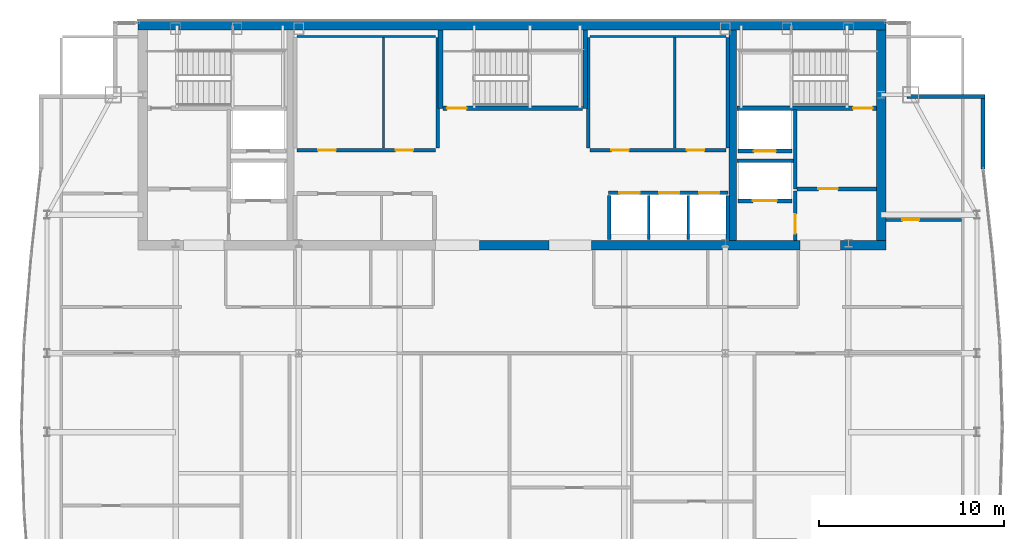
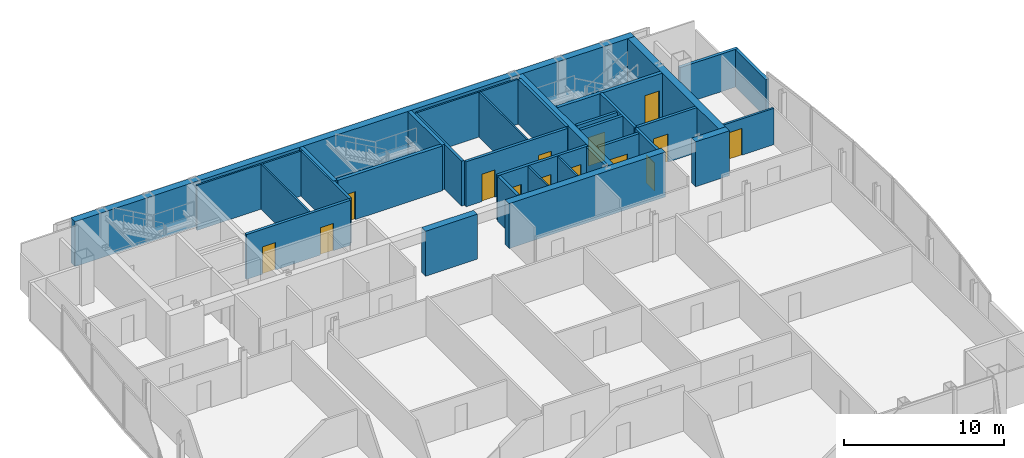
# One storey, part 22 of 25: 33 walls, 14 doors, 14 openings.
"""IFC4 building model written with IfcOpenShell, lengths in metres."""

from ifc_helpers import new_model, si_unit, direction, frame, frame_2d, origin, place, context, subcontext, project, spatial, rectangle, extrude, material, layer, layer_set, type_object, element, fill, save


model = new_model("IFC4")

# Units and contexts
model_context = context("Model", 3, precision=1e-05, world=origin(), true_north=direction((0.0, 1.0)))
body_context = subcontext(model_context, "Body", "Model", "MODEL_VIEW")
ifc_project = project(units=[si_unit("LENGTHUNIT", "METRE"), si_unit("AREAUNIT", "SQUARE_METRE"), si_unit("VOLUMEUNIT", "CUBIC_METRE"), si_unit("PLANEANGLEUNIT", "RADIAN"), si_unit("MASSUNIT", "GRAM", prefix="KILO")], contexts=[model_context])

# Site, building, storey
site_placement = place(None, origin())
site = spatial("IfcSite", under=ifc_project, at=site_placement, CompositionType="ELEMENT")
building_placement = place(site_placement, origin())
building = spatial("IfcBuilding", under=site, at=building_placement, Name="Khoronbel Lancet Exchange", CompositionType="ELEMENT")
storey_placement = place(building_placement, frame((0.0, 0.0, 295.0)))
storey = spatial("IfcBuildingStorey", under=building, at=storey_placement, Name="L76", CompositionType="ELEMENT", Elevation=295.0)

# Walls
ifc_material_1 = material(Name="Concrete C60/75", Category="concrete")
ifc_layer_1 = layer(ifc_material_1, 0.5, Name="Concrete C60/75")
ifc_layer_set_1 = layer_set([ifc_layer_1], Name="Concrete C60/75")
wall_type_1 = type_object("IfcWallType", Name="WL-CW4", PredefinedType="SHEAR", material=ifc_layer_set_1)
wall_1_placement = place(storey_placement, frame((16.199951171875, 53.449951171875, 0.0), z_axis=(0.0, 0.0, 1.0), x_axis=(1.0, 0.0, 0.0)))
element("IfcWall", 1, at=wall_1_placement, inside=storey, type_object=wall_type_1, Name="Level L76 rear core north shear wall", PredefinedType="SHEAR", context=body_context, shape_type="SweptSolid", body=[
    extrude(rectangle(XDim=40.5, YDim=0.5, at=frame_2d((20.25, 0.0))), origin(), (0.0, 0.0, 1.0), 3.43994140625),
])
wall_2_placement = place(storey_placement, frame((56.449951171875, 53.199951171875, 0.0), z_axis=(0.0, 0.0, 1.0), x_axis=(0.0, -1.0, 0.0)))
element("IfcWall", 2, at=wall_2_placement, inside=storey, type_object=wall_type_1, Name="Level L76 rear core east shear wall", PredefinedType="SHEAR", context=body_context, shape_type="SweptSolid", body=[
    extrude(rectangle(XDim=11.39990234375, YDim=0.5, at=frame_2d((5.699951171875, 0.0))), origin(), (0.0, 0.0, 1.0), 3.43994140625),
])
wall_3_placement = place(storey_placement, frame((38.449951171875, 41.550048828125, 0.0), z_axis=(0.0, 0.0, 1.0), x_axis=(-1.0, 0.0, 0.0)))
element("IfcWall", 3, at=wall_3_placement, inside=storey, type_object=wall_type_1, Name="Level L76 rear core south shear wall pier P3", PredefinedType="SHEAR", context=body_context, shape_type="SweptSolid", body=[
    extrude(rectangle(XDim=3.75, YDim=0.5, at=frame_2d((1.875, 0.0))), origin(), (0.0, 0.0, 1.0), 3.43994140625),
])
wall_4_placement = place(storey_placement, frame((52.050048828125, 41.550048828125, 0.0), z_axis=(0.0, 0.0, 1.0), x_axis=(-1.0, 0.0, 0.0)))
element("IfcWall", 4, at=wall_4_placement, inside=storey, type_object=wall_type_1, Name="Level L76 rear core south shear wall pier P4", PredefinedType="SHEAR", context=body_context, shape_type="SweptSolid", body=[
    extrude(rectangle(XDim=11.300048828125, YDim=0.5, at=frame_2d((5.64990234375, 0.0))), origin(), (0.0, 0.0, 1.0), 3.43994140625),
])
wall_5_placement = place(storey_placement, frame((56.699951171875, 41.550048828125, 0.0), z_axis=(0.0, 0.0, 1.0), x_axis=(-1.0, 0.0, 0.0)))
element("IfcWall", 5, at=wall_5_placement, inside=storey, type_object=wall_type_1, Name="Level L76 rear core south shear wall pier P5", PredefinedType="SHEAR", context=body_context, shape_type="SweptSolid", body=[
    extrude(rectangle(XDim=2.449951171875, YDim=0.5, at=frame_2d((1.22509765625, 0.0))), origin(), (0.0, 0.0, 1.0), 3.43994140625),
])
ifc_material_2 = material(Name="Precast concrete C40/50", Category="concrete")
ifc_layer_2 = layer(ifc_material_2, 0.25, Name="Precast concrete C40/50")
ifc_layer_set_2 = layer_set([ifc_layer_2], Name="Precast concrete C40/50")
wall_type_2 = type_object("IfcWallType", Name="WL-EXT250", PredefinedType="SOLIDWALL", material=ifc_layer_set_2)
wall_6_placement = place(storey_placement, frame((57.85009765625, 49.610107421875, 0.0), z_axis=(0.0, 0.0, 1.0), x_axis=(1.0, 0.0, 0.0)))
element("IfcWall", 6, at=wall_6_placement, inside=storey, type_object=wall_type_2, Name="Level L76 notched-corner limestone pier 15", PredefinedType="SOLIDWALL", context=body_context, shape_type="SweptSolid", body=[
    extrude(rectangle(XDim=4.219970703125, YDim=0.219970703125, at=frame_2d((2.10986328125, 0.0))), origin(), (0.0, 0.0, 1.0), 2.8798828125),
])
wall_7_placement = place(storey_placement, frame((61.9599609375, 49.5, 0.0), z_axis=(0.0, 0.0, 1.0), x_axis=(0.0, -1.0, 0.0)))
element("IfcWall", 7, at=wall_7_placement, inside=storey, type_object=wall_type_2, Name="Level L76 notched-corner limestone pier 16", PredefinedType="SOLIDWALL", context=body_context, shape_type="SweptSolid", body=[
    extrude(rectangle(XDim=3.824951171875, YDim=0.219970703125, at=frame_2d((1.91259765625, 0.0))), origin(), (0.0, 0.0, 1.0), 2.8798828125),
])

# Wall, opening, door
ifc_material_3 = material(Name="Acoustic Metal-Stud & Mineral-Wool Gypsum Partition 120 mm", Category="gypsum")
ifc_layer_3 = layer(ifc_material_3, 0.1201171875, Name="Acoustic Metal-Stud & Mineral-Wool Gypsum Partition 120 mm")
ifc_layer_set_3 = layer_set([ifc_layer_3], Name="Acoustic Metal-Stud & Mineral-Wool Gypsum Partition 120 mm")
wall_type_3 = type_object("IfcWallType", Name="WL-PRT120", PredefinedType="PARTITIONING", material=ifc_layer_set_3)
wall_8_placement = place(storey_placement, frame((56.699951171875, 42.919921875, 0.0), z_axis=(0.0, 0.0, 1.0), x_axis=(1.0, 0.0, 0.0)))
wall_8 = element("IfcWall", 8, at=wall_8_placement, inside=storey, type_object=wall_type_3, Name="Level L76 interior partition PW-NE-H", PredefinedType="PARTITIONING", context=body_context, shape_type="SweptSolid", body=[
    extrude(rectangle(XDim=4.10498046875, YDim=0.14990234375, at=frame_2d((2.052490234375, 0.0))), origin(), (0.0, 0.0, 1.0), 2.780029296875),
])
opening_1_placement = place(wall_8_placement, frame((0.89990234375, 0.0, 0.0)))
opening_1 = element("IfcOpeningElement", 9, at=opening_1_placement, cuts=wall_8, Name="Opening D5", PredefinedType="OPENING", context=body_context, shape_type="SweptSolid", body=[
    extrude(rectangle(XDim=0.89990234375, YDim=2.050048828125, at=frame_2d((0.449951171875, 1.02490234375))), frame((0.0, 0.0849609375, 0.0), z_axis=(0.0, -1.0, 0.0), x_axis=(1.0, 0.0, 0.0)), (0.0, 0.0, 1.0), 0.169921875),
])
ifc_material_4 = material(Name="Acoustic Timber Pantry & Support Door", Category="wood")
door_type_1 = type_object("IfcDoorType", Name="DR-D5", OperationType="NOTDEFINED", PredefinedType="DOOR", material=ifc_material_4)
door_1_placement = place(opening_1_placement, origin())
door_1 = element("IfcDoor", 10, at=door_1_placement, inside=storey, type_object=door_type_1, Name="NE north room door L76-1", OperationType="SINGLE_SWING_RIGHT", OverallHeight=2.050048828125, OverallWidth=0.89990234375, PredefinedType="DOOR", context=body_context, shape_type="SweptSolid", body=[
    extrude(rectangle(XDim=0.89990234375, YDim=2.050048828125, at=frame_2d((0.449951171875, 1.02490234375))), frame((0.0, 0.02490234375, 0.0), z_axis=(0.0, -1.0, 0.0), x_axis=(1.0, 0.0, 0.0)), (0.0, 0.0, 1.0), 0.050048828125),
])
fill(opening_1, door_1)

# Walls
ifc_material_5 = material(Name="Fire-Rated Metal-Stud & Mineral-Wool Gypsum Partition 120 mm", Category="gypsum")
ifc_layer_4 = layer(ifc_material_5, 0.1201171875, Name="Fire-Rated Metal-Stud & Mineral-Wool Gypsum Partition 120 mm")
ifc_layer_set_4 = layer_set([ifc_layer_4], Name="Fire-Rated Metal-Stud & Mineral-Wool Gypsum Partition 120 mm")
wall_type_4 = type_object("IfcWallType", Name="WL-PRT120F", PredefinedType="PARTITIONING", material=ifc_layer_set_4)
wall_9_placement = place(storey_placement, frame((24.804931640625, 52.860107421875, 0.0), z_axis=(0.0, 0.0, 1.0), x_axis=(1.0, 0.0, 0.0)))
element("IfcWall", 11, at=wall_9_placement, inside=storey, type_object=wall_type_4, Name="Level L76 interior partition CW-PL-RN", PredefinedType="PARTITIONING", context=body_context, shape_type="SweptSolid", body=[
    extrude(rectangle(XDim=7.510009765625, YDim=0.1201171875, at=frame_2d((3.7548828125, 0.0))), origin(), (0.0, 0.0, 1.0), 3.43994140625),
])
wall_10_placement = place(storey_placement, frame((29.486328125, 46.804931640625, 0.0), z_axis=(0.0, 0.0, 1.0), x_axis=(0.0, 1.0, 0.0)))
element("IfcWall", 12, at=wall_10_placement, inside=storey, type_object=wall_type_4, Name="Level L76 interior partition CW-PL-RS2", PredefinedType="PARTITIONING", context=body_context, shape_type="SweptSolid", body=[
    extrude(rectangle(XDim=5.989990234375, YDim=0.1201171875, at=frame_2d((2.9951171875, 0.0))), origin(), (0.0, 0.0, 1.0), 3.43994140625),
])
wall_11_placement = place(storey_placement, frame((40.68505859375, 52.860107421875, 0.0), z_axis=(0.0, 0.0, 1.0), x_axis=(1.0, 0.0, 0.0)))
element("IfcWall", 13, at=wall_11_placement, inside=storey, type_object=wall_type_4, Name="Level L76 interior partition CW-PH-RN", PredefinedType="PARTITIONING", context=body_context, shape_type="SweptSolid", body=[
    extrude(rectangle(XDim=7.349853515625, YDim=0.1201171875, at=frame_2d((3.6748046875, 0.0))), origin(), (0.0, 0.0, 1.0), 3.43994140625),
])
wall_12_placement = place(storey_placement, frame((45.26708984375, 46.804931640625, 0.0), z_axis=(0.0, 0.0, 1.0), x_axis=(0.0, 1.0, 0.0)))
element("IfcWall", 14, at=wall_12_placement, inside=storey, type_object=wall_type_4, Name="Level L76 interior partition CW-PH-RS2", PredefinedType="PARTITIONING", context=body_context, shape_type="SweptSolid", body=[
    extrude(rectangle(XDim=5.989990234375, YDim=0.1201171875, at=frame_2d((2.9951171875, 0.0))), origin(), (0.0, 0.0, 1.0), 3.43994140625),
])
for number, where, z_axis, x_axis, name in (
    (15, (43.860107421875, 41.85009765625, 0.0), (0.0, 0.0, 1.0), (0.0, 1.0, 0.0), "Level L76 interior partition CW-PX-D1"),
    (16, (46.0, 41.85009765625, 0.0), (0.0, 0.0, 1.0), (0.0, 1.0, 0.0), "Level L76 interior partition CW-PX-D2"),
):
    element("IfcWall", number, at=place(storey_placement, frame(where, z_axis=z_axis, x_axis=x_axis)), inside=storey, type_object=wall_type_4, Name=name, PredefinedType="PARTITIONING", context=body_context, shape_type="SweptSolid", body=[
        extrude(rectangle(XDim=2.39990234375, YDim=0.1201171875, at=frame_2d((1.199951171875, 0.0))), origin(), (0.0, 0.0, 1.0), 3.43994140625),
    ])

# Wall, openings, doors
ifc_material_6 = material(Name="Autoclaved Aerated Concrete Blockwork 200 mm", Category="masonry")
ifc_layer_5 = layer(ifc_material_6, 0.199951171875, Name="Autoclaved Aerated Concrete Blockwork 200 mm")
ifc_layer_set_5 = layer_set([ifc_layer_5], Name="Autoclaved Aerated Concrete Blockwork 200 mm")
wall_type_5 = type_object("IfcWallType", Name="WL-PRT200", PredefinedType="PARTITIONING", material=ifc_layer_set_5)
wall_13_placement = place(storey_placement, frame((41.679931640625, 44.39990234375, 0.0), z_axis=(0.0, 0.0, 1.0), x_axis=(1.0, 0.0, 0.0)))
wall_13 = element("IfcWall", 17, at=wall_13_placement, inside=storey, type_object=wall_type_5, Name="Level L76 elevator hoistway landing front wall PXE", PredefinedType="PARTITIONING", context=body_context, shape_type="SweptSolid", body=[
    extrude(rectangle(XDim=6.47998046875, YDim=0.199951171875, at=frame_2d((3.239990234375, 0.0))), origin(), (0.0, 0.0, 1.0), 3.43994140625),
])
opening_2_placement = place(wall_13_placement, frame((0.580078125, 0.0, 0.0)))
opening_2 = element("IfcOpeningElement", 18, at=opening_2_placement, cuts=wall_13, Name="Opening LD-PX1", PredefinedType="OPENING", context=body_context, shape_type="SweptSolid", body=[
    extrude(rectangle(XDim=1.10009765625, YDim=2.179931640625, at=frame_2d((0.550048828125, 1.08984375))), frame((0.0, 0.10986328125, 0.0), z_axis=(0.0, -1.0, 0.0), x_axis=(1.0, 0.0, 0.0)), (0.0, 0.0, 1.0), 0.219970703125),
])
opening_3_placement = place(wall_13_placement, frame((2.739990234375, 0.0, 0.0)))
opening_3 = element("IfcOpeningElement", 19, at=opening_3_placement, cuts=wall_13, Name="Opening LD-PX2", PredefinedType="OPENING", context=body_context, shape_type="SweptSolid", body=[
    extrude(rectangle(XDim=1.10009765625, YDim=2.179931640625, at=frame_2d((0.550048828125, 1.08984375))), frame((0.0, 0.10986328125, 0.0), z_axis=(0.0, -1.0, 0.0), x_axis=(1.0, 0.0, 0.0)), (0.0, 0.0, 1.0), 0.219970703125),
])
opening_4_placement = place(wall_13_placement, frame((4.89990234375, 0.0, 0.0)))
opening_4 = element("IfcOpeningElement", 20, at=opening_4_placement, cuts=wall_13, Name="Opening LD-PX3", PredefinedType="OPENING", context=body_context, shape_type="SweptSolid", body=[
    extrude(rectangle(XDim=1.10009765625, YDim=2.179931640625, at=frame_2d((0.550048828125, 1.08984375))), frame((0.0, 0.10986328125, 0.0), z_axis=(0.0, -1.0, 0.0), x_axis=(1.0, 0.0, 0.0)), (0.0, 0.0, 1.0), 0.219970703125),
])
ifc_material_7 = material(Name="Brushed Bronze Bi-Parting Elevator Landing Door", Category="steel")
door_type_2 = type_object("IfcDoorType", Name="DR-LD-PAX", OperationType="NOTDEFINED", PredefinedType="DOOR", material=ifc_material_7)
door_2_placement = place(opening_2_placement, origin())
door_2 = element("IfcDoor", 21, at=door_2_placement, inside=storey, type_object=door_type_2, Name="Elevator landing sliding door LD-PX1 L76", OperationType="SLIDING_TO_LEFT", OverallHeight=2.179931640625, OverallWidth=1.10009765625, PredefinedType="DOOR", context=body_context, shape_type="SweptSolid", body=[
    extrude(rectangle(XDim=1.10009765625, YDim=2.179931640625, at=frame_2d((0.550048828125, 1.08984375))), frame((0.0, 0.02490234375, 0.0), z_axis=(0.0, -1.0, 0.0), x_axis=(1.0, 0.0, 0.0)), (0.0, 0.0, 1.0), 0.050048828125),
])
fill(opening_2, door_2)
door_3_placement = place(opening_3_placement, origin())
door_3 = element("IfcDoor", 22, at=door_3_placement, inside=storey, type_object=door_type_2, Name="Elevator landing sliding door LD-PX2 L76", OperationType="SLIDING_TO_LEFT", OverallHeight=2.179931640625, OverallWidth=1.10009765625, PredefinedType="DOOR", context=body_context, shape_type="SweptSolid", body=[
    extrude(rectangle(XDim=1.10009765625, YDim=2.179931640625, at=frame_2d((0.550048828125, 1.08984375))), frame((0.0, 0.02490234375, 0.0), z_axis=(0.0, -1.0, 0.0), x_axis=(1.0, 0.0, 0.0)), (0.0, 0.0, 1.0), 0.050048828125),
])
fill(opening_3, door_3)
door_4_placement = place(opening_4_placement, origin())
door_4 = element("IfcDoor", 23, at=door_4_placement, inside=storey, type_object=door_type_2, Name="Elevator landing sliding door LD-PX3 L76", OperationType="SLIDING_TO_LEFT", OverallHeight=2.179931640625, OverallWidth=1.10009765625, PredefinedType="DOOR", context=body_context, shape_type="SweptSolid", body=[
    extrude(rectangle(XDim=1.10009765625, YDim=2.179931640625, at=frame_2d((0.550048828125, 1.08984375))), frame((0.0, 0.02490234375, 0.0), z_axis=(0.0, -1.0, 0.0), x_axis=(1.0, 0.0, 0.0)), (0.0, 0.0, 1.0), 0.050048828125),
])
fill(opening_4, door_4)

# Wall, opening, door
wall_14_placement = place(storey_placement, frame((51.610107421875, 43.949951171875, 0.0), z_axis=(0.0, 0.0, 1.0), x_axis=(-1.0, 0.0, 0.0)))
wall_14 = element("IfcWall", 24, at=wall_14_placement, inside=storey, type_object=wall_type_5, Name="Level L76 elevator hoistway landing front wall SVLE", PredefinedType="PARTITIONING", context=body_context, shape_type="SweptSolid", body=[
    extrude(rectangle(XDim=2.920166015625, YDim=0.199951171875, at=frame_2d((1.4599609375, 0.0))), origin(), (0.0, 0.0, 1.0), 3.43994140625),
])
opening_5_placement = place(wall_14_placement, frame((0.81005859375, 0.0, 0.0)))
opening_5 = element("IfcOpeningElement", 25, at=opening_5_placement, cuts=wall_14, Name="Opening LD-SVL2", PredefinedType="OPENING", context=body_context, shape_type="SweptSolid", body=[
    extrude(rectangle(XDim=1.300048828125, YDim=2.179931640625, at=frame_2d((0.64990234375, 1.08984375))), frame((0.0, 0.10986328125, 0.0), z_axis=(0.0, -1.0, 0.0), x_axis=(1.0, 0.0, 0.0)), (0.0, 0.0, 1.0), 0.219970703125),
])
ifc_material_8 = material(Name="Heavy-Duty Bi-Parting Goods Lift Landing Door", Category="steel")
door_type_3 = type_object("IfcDoorType", Name="DR-LD-SVL", OperationType="NOTDEFINED", PredefinedType="DOOR", material=ifc_material_8)
door_5_placement = place(opening_5_placement, origin())
door_5 = element("IfcDoor", 26, at=door_5_placement, inside=storey, type_object=door_type_3, Name="Elevator landing sliding door LD-SVL2 L76", OperationType="SLIDING_TO_LEFT", OverallHeight=2.179931640625, OverallWidth=1.300048828125, PredefinedType="DOOR", context=body_context, shape_type="SweptSolid", body=[
    extrude(rectangle(XDim=1.300048828125, YDim=2.179931640625, at=frame_2d((0.64990234375, 1.08984375))), frame((0.0, 0.02490234375, 0.0), z_axis=(0.0, -1.0, 0.0), x_axis=(1.0, 0.0, 0.0)), (0.0, 0.0, 1.0), 0.050048828125),
])
fill(opening_5, door_5)

wall_15_placement = place(storey_placement, frame((51.610107421875, 46.64990234375, 0.0), z_axis=(0.0, 0.0, 1.0), x_axis=(-1.0, 0.0, 0.0)))
wall_15 = element("IfcWall", 27, at=wall_15_placement, inside=storey, type_object=wall_type_5, Name="Level L76 elevator hoistway landing front wall FFLE", PredefinedType="PARTITIONING", context=body_context, shape_type="SweptSolid", body=[
    extrude(rectangle(XDim=2.920166015625, YDim=0.199951171875, at=frame_2d((1.4599609375, 0.0))), origin(), (0.0, 0.0, 1.0), 3.43994140625),
])
opening_6_placement = place(wall_15_placement, frame((0.860107421875, 0.0, 0.0)))
opening_6 = element("IfcOpeningElement", 28, at=opening_6_placement, cuts=wall_15, Name="Opening LD-FFL2", PredefinedType="OPENING", context=body_context, shape_type="SweptSolid", body=[
    extrude(rectangle(XDim=1.199951171875, YDim=2.179931640625, at=frame_2d((0.60009765625, 1.08984375))), frame((0.0, 0.10986328125, 0.0), z_axis=(0.0, -1.0, 0.0), x_axis=(1.0, 0.0, 0.0)), (0.0, 0.0, 1.0), 0.219970703125),
])
ifc_material_9 = material(Name="Fire-Rated Stainless Bi-Parting Firefighting Lift Door", Category="steel")
door_type_4 = type_object("IfcDoorType", Name="DR-LD-FFL", OperationType="NOTDEFINED", PredefinedType="DOOR", material=ifc_material_9)
door_6_placement = place(opening_6_placement, origin())
door_6 = element("IfcDoor", 29, at=door_6_placement, inside=storey, type_object=door_type_4, Name="Elevator landing sliding door LD-FFL2 L76", OperationType="SLIDING_TO_LEFT", OverallHeight=2.179931640625, OverallWidth=1.199951171875, PredefinedType="DOOR", context=body_context, shape_type="SweptSolid", body=[
    extrude(rectangle(XDim=1.199951171875, YDim=2.179931640625, at=frame_2d((0.60009765625, 1.08984375))), frame((0.0, 0.02490234375, 0.0), z_axis=(0.0, -1.0, 0.0), x_axis=(1.0, 0.0, 0.0)), (0.0, 0.0, 1.0), 0.050048828125),
])
fill(opening_6, door_6)

# Wall
wall_16_placement = place(storey_placement, frame((51.800048828125, 44.60009765625, 0.0), z_axis=(0.0, 0.0, 1.0), x_axis=(0.0, 1.0, 0.0)))
element("IfcWall", 30, at=wall_16_placement, inside=storey, type_object=wall_type_5, Name="Level L76 interior partition CW-FFLE-W", PredefinedType="PARTITIONING", context=body_context, shape_type="SweptSolid", body=[
    extrude(rectangle(XDim=4.2998046875, YDim=0.199951171875, at=frame_2d((2.14990234375, 0.0))), origin(), (0.0, 0.0, 1.0), 3.43994140625),
])

# Wall, opening, door
wall_17_placement = place(storey_placement, frame((51.89990234375, 44.60009765625, 0.0), z_axis=(0.0, 0.0, 1.0), x_axis=(1.0, 0.0, 0.0)))
wall_17 = element("IfcWall", 31, at=wall_17_placement, inside=storey, type_object=wall_type_5, Name="Level L76 interior partition CW-FFLE-S", PredefinedType="PARTITIONING", context=body_context, shape_type="SweptSolid", body=[
    extrude(rectangle(XDim=4.300048828125, YDim=0.199951171875, at=frame_2d((2.14990234375, 0.0))), origin(), (0.0, 0.0, 1.0), 3.43994140625),
])
opening_7_placement = place(wall_17_placement, frame((1.14990234375, 0.0, 0.0)))
opening_7 = element("IfcOpeningElement", 32, at=opening_7_placement, cuts=wall_17, Name="Opening FD1", PredefinedType="OPENING", context=body_context, shape_type="SweptSolid", body=[
    extrude(rectangle(XDim=1.050048828125, YDim=2.14990234375, at=frame_2d((0.52490234375, 1.074951171875))), frame((0.0, 0.10986328125, 0.0), z_axis=(0.0, -1.0, 0.0), x_axis=(1.0, 0.0, 0.0)), (0.0, 0.0, 1.0), 0.219970703125),
])
ifc_material_10 = material(Name="Fire-Rated Painted Steel Door Assembly", Category="steel")
door_type_5 = type_object("IfcDoorType", Name="DR-FD1", OperationType="NOTDEFINED", PredefinedType="DOOR", material=ifc_material_10)
door_7_placement = place(opening_7_placement, origin())
door_7 = element("IfcDoor", 33, at=door_7_placement, inside=storey, type_object=door_type_5, Name="East firefighting lobby FD90S door L76-1", OperationType="SINGLE_SWING_RIGHT", OverallHeight=2.14990234375, OverallWidth=1.050048828125, PredefinedType="DOOR", context=body_context, shape_type="SweptSolid", body=[
    extrude(rectangle(XDim=1.050048828125, YDim=2.14990234375, at=frame_2d((0.52490234375, 1.074951171875))), frame((0.0, 0.02490234375, 0.0), z_axis=(0.0, -1.0, 0.0), x_axis=(1.0, 0.0, 0.0)), (0.0, 0.0, 1.0), 0.050048828125),
])
fill(opening_7, door_7)

# Wall
wall_18_placement = place(storey_placement, frame((48.6298828125, 46.1201171875, 0.0), z_axis=(0.0, 0.0, 1.0), x_axis=(1.0, 0.0, 0.0)))
element("IfcWall", 34, at=wall_18_placement, inside=storey, type_object=wall_type_5, Name="Level L76 interior partition CW-FFL2-S", PredefinedType="PARTITIONING", context=body_context, shape_type="SweptSolid", body=[
    extrude(rectangle(XDim=3.070068359375, YDim=0.199951171875, at=frame_2d((1.53515625, 0.0))), origin(), (0.0, 0.0, 1.0), 3.43994140625),
])

# Wall, opening, door
wall_19_placement = place(storey_placement, frame((51.800048828125, 41.800048828125, 0.0), z_axis=(0.0, 0.0, 1.0), x_axis=(0.0, 1.0, 0.0)))
wall_19 = element("IfcWall", 35, at=wall_19_placement, inside=storey, type_object=wall_type_5, Name="Level L76 interior partition CW-SVLE-E", PredefinedType="PARTITIONING", context=body_context, shape_type="SweptSolid", body=[
    extrude(rectangle(XDim=2.695068359375, YDim=0.199951171875, at=frame_2d((1.34765625, 0.0))), origin(), (0.0, 0.0, 1.0), 3.43994140625),
])
opening_8_placement = place(wall_19_placement, frame((0.3798828125, 0.0, 0.0)))
opening_8 = element("IfcOpeningElement", 36, at=opening_8_placement, cuts=wall_19, Name="Opening FD1", PredefinedType="OPENING", context=body_context, shape_type="SweptSolid", body=[
    extrude(rectangle(XDim=1.050048828125, YDim=2.14990234375, at=frame_2d((0.52490234375, 1.074951171875))), frame((0.0, 0.10986328125, 0.0), z_axis=(0.0, -1.0, 0.0), x_axis=(1.0, 0.0, 0.0)), (0.0, 0.0, 1.0), 0.219970703125),
])
door_8_placement = place(opening_8_placement, origin())
door_8 = element("IfcDoor", 37, at=door_8_placement, inside=storey, type_object=door_type_5, Name="East service lift lobby door L76-1", OperationType="SINGLE_SWING_LEFT", OverallHeight=2.14990234375, OverallWidth=1.050048828125, PredefinedType="DOOR", context=body_context, shape_type="SweptSolid", body=[
    extrude(rectangle(XDim=1.050048828125, YDim=2.14990234375, at=frame_2d((0.52490234375, 1.074951171875))), frame((0.0, 0.02490234375, 0.0), z_axis=(0.0, -1.0, 0.0), x_axis=(1.0, 0.0, 0.0)), (0.0, 0.0, 1.0), 0.050048828125),
])
fill(opening_8, door_8)

# Wall
wall_20_placement = place(storey_placement, frame((32.419921875, 46.804931640625, 0.0), z_axis=(0.0, 0.0, 1.0), x_axis=(0.0, 1.0, 0.0)))
element("IfcWall", 38, at=wall_20_placement, inside=storey, type_object=wall_type_5, Name="Level L76 interior partition CW-PL-RE", PredefinedType="PARTITIONING", context=body_context, shape_type="SweptSolid", body=[
    extrude(rectangle(XDim=5.989990234375, YDim=0.199951171875, at=frame_2d((2.9951171875, 0.0))), origin(), (0.0, 0.0, 1.0), 3.43994140625),
])

# Wall, openings, doors
wall_21_placement = place(storey_placement, frame((24.804931640625, 46.699951171875, 0.0), z_axis=(0.0, 0.0, 1.0), x_axis=(1.0, 0.0, 0.0)))
wall_21 = element("IfcWall", 39, at=wall_21_placement, inside=storey, type_object=wall_type_5, Name="Level L76 interior partition CW-PL-RF", PredefinedType="PARTITIONING", context=body_context, shape_type="SweptSolid", body=[
    extrude(rectangle(XDim=7.510009765625, YDim=0.199951171875, at=frame_2d((3.7548828125, 0.0))), origin(), (0.0, 0.0, 1.0), 3.43994140625),
])
opening_9_placement = place(wall_21_placement, frame((1.14990234375, 0.0, 0.0)))
opening_9 = element("IfcOpeningElement", 40, at=opening_9_placement, cuts=wall_21, Name="Opening FD3", PredefinedType="OPENING", context=body_context, shape_type="SweptSolid", body=[
    extrude(rectangle(XDim=0.949951171875, YDim=2.10009765625, at=frame_2d((0.47509765625, 1.050048828125))), frame((0.0, 0.10986328125, 0.0), z_axis=(0.0, -1.0, 0.0), x_axis=(1.0, 0.0, 0.0)), (0.0, 0.0, 1.0), 0.219970703125),
])
opening_10_placement = place(wall_21_placement, frame((5.33642578125, 0.0, 0.0)))
opening_10 = element("IfcOpeningElement", 41, at=opening_10_placement, cuts=wall_21, Name="Opening FD3", PredefinedType="OPENING", context=body_context, shape_type="SweptSolid", body=[
    extrude(rectangle(XDim=0.949951171875, YDim=2.10009765625, at=frame_2d((0.47509765625, 1.050048828125))), frame((0.0, 0.10986328125, 0.0), z_axis=(0.0, -1.0, 0.0), x_axis=(1.0, 0.0, 0.0)), (0.0, 0.0, 1.0), 0.219970703125),
])
ifc_material_11 = material(Name="Fire-Rated Steel Plant & Riser Door Assembly", Category="steel")
door_type_6 = type_object("IfcDoorType", Name="DR-FD3", OperationType="NOTDEFINED", PredefinedType="DOOR", material=ifc_material_11)
door_9_placement = place(opening_9_placement, origin())
door_9 = element("IfcDoor", 42, at=door_9_placement, inside=storey, type_object=door_type_6, Name="Reclaimed PL C door L76-1", OperationType="SINGLE_SWING_RIGHT", OverallHeight=2.10009765625, OverallWidth=0.949951171875, PredefinedType="DOOR", context=body_context, shape_type="SweptSolid", body=[
    extrude(rectangle(XDim=0.949951171875, YDim=2.10009765625, at=frame_2d((0.47509765625, 1.050048828125))), frame((0.0, 0.02490234375, 0.0), z_axis=(0.0, -1.0, 0.0), x_axis=(1.0, 0.0, 0.0)), (0.0, 0.0, 1.0), 0.050048828125),
])
fill(opening_9, door_9)
door_10_placement = place(opening_10_placement, origin())
door_10 = element("IfcDoor", 43, at=door_10_placement, inside=storey, type_object=door_type_6, Name="Reclaimed PL D door L76-2", OperationType="SINGLE_SWING_LEFT", OverallHeight=2.10009765625, OverallWidth=0.949951171875, PredefinedType="DOOR", context=body_context, shape_type="SweptSolid", body=[
    extrude(rectangle(XDim=0.949951171875, YDim=2.10009765625, at=frame_2d((0.47509765625, 1.050048828125))), frame((0.0, 0.02490234375, 0.0), z_axis=(0.0, -1.0, 0.0), x_axis=(1.0, 0.0, 0.0)), (0.0, 0.0, 1.0), 0.050048828125),
])
fill(opening_10, door_10)

# Walls
for number, where, z_axis, x_axis, name in (
    (44, (40.580078125, 46.804931640625, 0.0), (0.0, 0.0, 1.0), (0.0, 1.0, 0.0), "Level L76 interior partition CW-PH-RW"),
    (45, (48.139892578125, 46.804931640625, 0.0), (0.0, 0.0, 1.0), (0.0, 1.0, 0.0), "Level L76 interior partition CW-PH-RE"),
):
    element("IfcWall", number, at=place(storey_placement, frame(where, z_axis=z_axis, x_axis=x_axis)), inside=storey, type_object=wall_type_5, Name=name, PredefinedType="PARTITIONING", context=body_context, shape_type="SweptSolid", body=[
        extrude(rectangle(XDim=5.989990234375, YDim=0.199951171875, at=frame_2d((2.9951171875, 0.0))), origin(), (0.0, 0.0, 1.0), 3.43994140625),
    ])

# Wall, openings, doors
wall_22_placement = place(storey_placement, frame((40.68505859375, 46.699951171875, 0.0), z_axis=(0.0, 0.0, 1.0), x_axis=(1.0, 0.0, 0.0)))
wall_22 = element("IfcWall", 46, at=wall_22_placement, inside=storey, type_object=wall_type_5, Name="Level L76 interior partition CW-PH-RF", PredefinedType="PARTITIONING", context=body_context, shape_type="SweptSolid", body=[
    extrude(rectangle(XDim=7.349853515625, YDim=0.199951171875, at=frame_2d((3.6748046875, 0.0))), origin(), (0.0, 0.0, 1.0), 3.43994140625),
])
opening_11_placement = place(wall_22_placement, frame((1.14990234375, 0.0, 0.0)))
opening_11 = element("IfcOpeningElement", 47, at=opening_11_placement, cuts=wall_22, Name="Opening FD3", PredefinedType="OPENING", context=body_context, shape_type="SweptSolid", body=[
    extrude(rectangle(XDim=0.949951171875, YDim=2.10009765625, at=frame_2d((0.47509765625, 1.050048828125))), frame((0.0, 0.10986328125, 0.0), z_axis=(0.0, -1.0, 0.0), x_axis=(1.0, 0.0, 0.0)), (0.0, 0.0, 1.0), 0.219970703125),
])
opening_12_placement = place(wall_22_placement, frame((5.2373046875, 0.0, 0.0)))
opening_12 = element("IfcOpeningElement", 48, at=opening_12_placement, cuts=wall_22, Name="Opening FD3", PredefinedType="OPENING", context=body_context, shape_type="SweptSolid", body=[
    extrude(rectangle(XDim=0.949951171875, YDim=2.10009765625, at=frame_2d((0.47509765625, 1.050048828125))), frame((0.0, 0.10986328125, 0.0), z_axis=(0.0, -1.0, 0.0), x_axis=(1.0, 0.0, 0.0)), (0.0, 0.0, 1.0), 0.219970703125),
])
door_11_placement = place(opening_11_placement, origin())
door_11 = element("IfcDoor", 49, at=door_11_placement, inside=storey, type_object=door_type_6, Name="Reclaimed PH C door L76-1", OperationType="SINGLE_SWING_RIGHT", OverallHeight=2.10009765625, OverallWidth=0.949951171875, PredefinedType="DOOR", context=body_context, shape_type="SweptSolid", body=[
    extrude(rectangle(XDim=0.949951171875, YDim=2.10009765625, at=frame_2d((0.47509765625, 1.050048828125))), frame((0.0, 0.02490234375, 0.0), z_axis=(0.0, -1.0, 0.0), x_axis=(1.0, 0.0, 0.0)), (0.0, 0.0, 1.0), 0.050048828125),
])
fill(opening_11, door_11)
door_12_placement = place(opening_12_placement, origin())
door_12 = element("IfcDoor", 50, at=door_12_placement, inside=storey, type_object=door_type_6, Name="Reclaimed PH D door L76-2", OperationType="SINGLE_SWING_LEFT", OverallHeight=2.10009765625, OverallWidth=0.949951171875, PredefinedType="DOOR", context=body_context, shape_type="SweptSolid", body=[
    extrude(rectangle(XDim=0.949951171875, YDim=2.10009765625, at=frame_2d((0.47509765625, 1.050048828125))), frame((0.0, 0.02490234375, 0.0), z_axis=(0.0, -1.0, 0.0), x_axis=(1.0, 0.0, 0.0)), (0.0, 0.0, 1.0), 0.050048828125),
])
fill(opening_12, door_12)

# Walls
for number, where, z_axis, x_axis, name in (
    (51, (41.719970703125, 41.85009765625, 0.0), (0.0, 0.0, 1.0), (0.0, 1.0, 0.0), "Level L76 interior partition CW-PX-W"),
    (52, (48.139892578125, 41.85009765625, 0.0), (0.0, 0.0, 1.0), (0.0, 1.0, 0.0), "Level L76 interior partition CW-PX-E"),
):
    element("IfcWall", number, at=place(storey_placement, frame(where, z_axis=z_axis, x_axis=x_axis)), inside=storey, type_object=wall_type_5, Name=name, PredefinedType="PARTITIONING", context=body_context, shape_type="SweptSolid", body=[
        extrude(rectangle(XDim=2.39990234375, YDim=0.199951171875, at=frame_2d((1.199951171875, 0.0))), origin(), (0.0, 0.0, 1.0), 3.43994140625),
    ])
ifc_layer_6 = layer(ifc_material_1, 0.39990234375, Name="Concrete C60/75")
ifc_layer_set_6 = layer_set([ifc_layer_6], Name="Concrete C60/75")
wall_type_6 = type_object("IfcWallType", Name="WL-SW2", PredefinedType="SHEAR", material=ifc_layer_set_6)
wall_23_placement = place(storey_placement, frame((48.39990234375, 41.800048828125, 0.0), z_axis=(0.0, 0.0, 1.0), x_axis=(0.0, 1.0, 0.0)))
element("IfcWall", 53, at=wall_23_placement, inside=storey, type_object=wall_type_6, Name="Level L76 rear core internal spine shear wall IE", PredefinedType="SHEAR", context=body_context, shape_type="SweptSolid", body=[
    extrude(rectangle(XDim=11.39990234375, YDim=0.39990234375, at=frame_2d((5.699951171875, 0.0))), origin(), (0.0, 0.0, 1.0), 3.43994140625),
])
ifc_layer_7 = layer(ifc_material_1, 0.260009765625, Name="Concrete C60/75")
ifc_layer_set_7 = layer_set([ifc_layer_7], Name="Concrete C60/75")
wall_type_7 = type_object("IfcWallType", Name="WL-SW3", PredefinedType="SHEAR", material=ifc_layer_set_7)
for number, where, z_axis, x_axis, name in (
    (54, (32.580078125, 48.949951171875, 0.0), (0.0, 0.0, 1.0), (0.0, 1.0, 0.0), "Level L76 central stairwell structural shear wall ST3W"),
    (55, (40.419921875, 48.949951171875, 0.0), (0.0, 0.0, 1.0), (0.0, 1.0, 0.0), "Level L76 central stairwell structural shear wall ST3E"),
):
    element("IfcWall", number, at=place(storey_placement, frame(where, z_axis=z_axis, x_axis=x_axis)), inside=storey, type_object=wall_type_7, Name=name, PredefinedType="SHEAR", context=body_context, shape_type="SweptSolid", body=[
        extrude(rectangle(XDim=4.25, YDim=0.260009765625, at=frame_2d((2.125, 0.0))), origin(), (0.0, 0.0, 1.0), 3.43994140625),
    ])

# Wall, opening, door
wall_24_placement = place(storey_placement, frame((48.6298828125, 48.97998046875, 0.0), z_axis=(0.0, 0.0, 1.0), x_axis=(1.0, 0.0, 0.0)))
wall_24 = element("IfcWall", 56, at=wall_24_placement, inside=storey, type_object=wall_type_7, Name="Level L76 east stairwell structural south wall", PredefinedType="SHEAR", context=body_context, shape_type="SweptSolid", body=[
    extrude(rectangle(XDim=7.570068359375, YDim=0.239990234375, at=frame_2d((3.78515625, 0.0))), origin(), (0.0, 0.0, 1.0), 3.43994140625),
])
opening_13_placement = place(wall_24_placement, frame((6.300048828125, 0.0, 0.0)))
opening_13 = element("IfcOpeningElement", 57, at=opening_13_placement, cuts=wall_24, Name="Opening SD1", PredefinedType="OPENING", context=body_context, shape_type="SweptSolid", body=[
    extrude(rectangle(XDim=1.050048828125, YDim=2.14990234375, at=frame_2d((0.52490234375, 1.074951171875))), frame((0.0, 0.1298828125, 0.0), z_axis=(0.0, -1.0, 0.0), x_axis=(1.0, 0.0, 0.0)), (0.0, 0.0, 1.0), 0.260009765625),
])
ifc_material_12 = material(Name="Fire-Rated Steel Stairwell Door Assembly", Category="steel")
door_type_7 = type_object("IfcDoorType", Name="DR-SD1", OperationType="NOTDEFINED", PredefinedType="DOOR", material=ifc_material_12)
door_13_placement = place(opening_13_placement, origin())
door_13 = element("IfcDoor", 58, at=door_13_placement, inside=storey, type_object=door_type_7, Name="Protected exit stair ST2 door L76", OperationType="SINGLE_SWING_RIGHT", OverallHeight=2.14990234375, OverallWidth=1.050048828125, PredefinedType="DOOR", context=body_context, shape_type="SweptSolid", body=[
    extrude(rectangle(XDim=1.050048828125, YDim=2.14990234375, at=frame_2d((0.52490234375, 1.074951171875))), frame((0.0, 0.02490234375, 0.0), z_axis=(0.0, -1.0, 0.0), x_axis=(1.0, 0.0, 0.0)), (0.0, 0.0, 1.0), 0.050048828125),
])
fill(opening_13, door_13)

wall_25_placement = place(storey_placement, frame((32.719970703125, 48.97998046875, 0.0), z_axis=(0.0, 0.0, 1.0), x_axis=(1.0, 0.0, 0.0)))
wall_25 = element("IfcWall", 59, at=wall_25_placement, inside=storey, type_object=wall_type_7, Name="Level L76 central stairwell structural south wall", PredefinedType="SHEAR", context=body_context, shape_type="SweptSolid", body=[
    extrude(rectangle(XDim=7.56005859375, YDim=0.239990234375, at=frame_2d((3.780029296875, 0.0))), origin(), (0.0, 0.0, 1.0), 3.43994140625),
])
opening_14_placement = place(wall_25_placement, frame((0.219970703125, 0.0, 0.0)))
opening_14 = element("IfcOpeningElement", 60, at=opening_14_placement, cuts=wall_25, Name="Opening SD1", PredefinedType="OPENING", context=body_context, shape_type="SweptSolid", body=[
    extrude(rectangle(XDim=1.050048828125, YDim=2.14990234375, at=frame_2d((0.52490234375, 1.074951171875))), frame((0.0, 0.1298828125, 0.0), z_axis=(0.0, -1.0, 0.0), x_axis=(1.0, 0.0, 0.0)), (0.0, 0.0, 1.0), 0.260009765625),
])
door_14_placement = place(opening_14_placement, origin())
door_14 = element("IfcDoor", 61, at=door_14_placement, inside=storey, type_object=door_type_7, Name="Protected exit stair ST3 door L76", OperationType="SINGLE_SWING_LEFT", OverallHeight=2.14990234375, OverallWidth=1.050048828125, PredefinedType="DOOR", context=body_context, shape_type="SweptSolid", body=[
    extrude(rectangle(XDim=1.050048828125, YDim=2.14990234375, at=frame_2d((0.52490234375, 1.074951171875))), frame((0.0, 0.02490234375, 0.0), z_axis=(0.0, -1.0, 0.0), x_axis=(1.0, 0.0, 0.0)), (0.0, 0.0, 1.0), 0.050048828125),
])
fill(opening_14, door_14)

save(model, "model.ifc")
